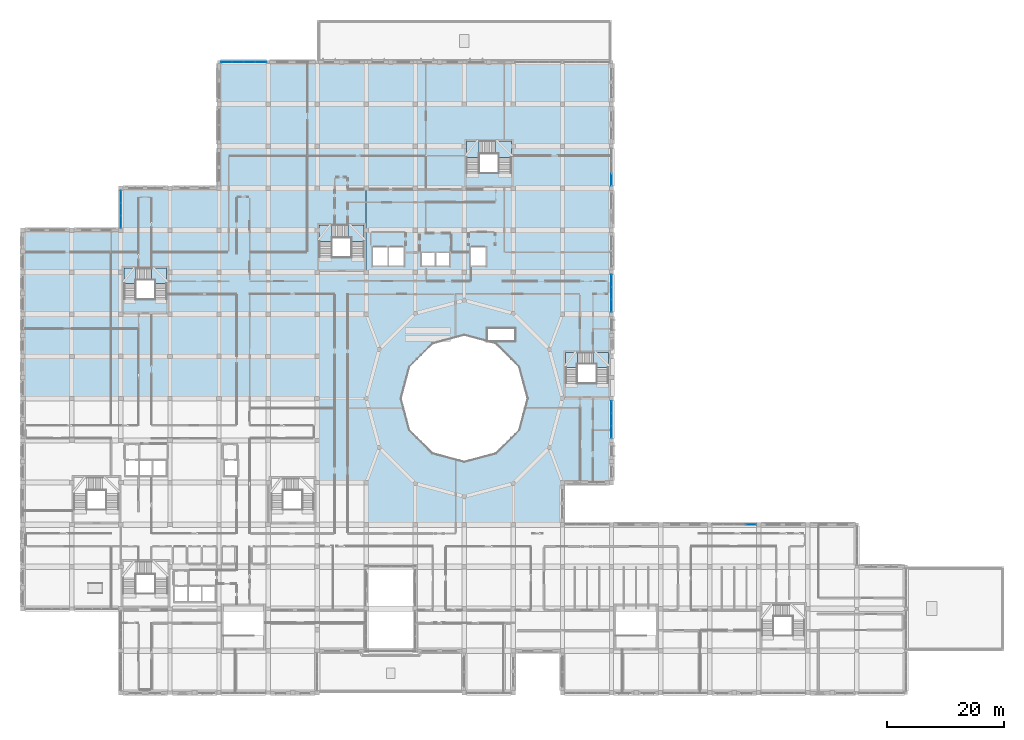
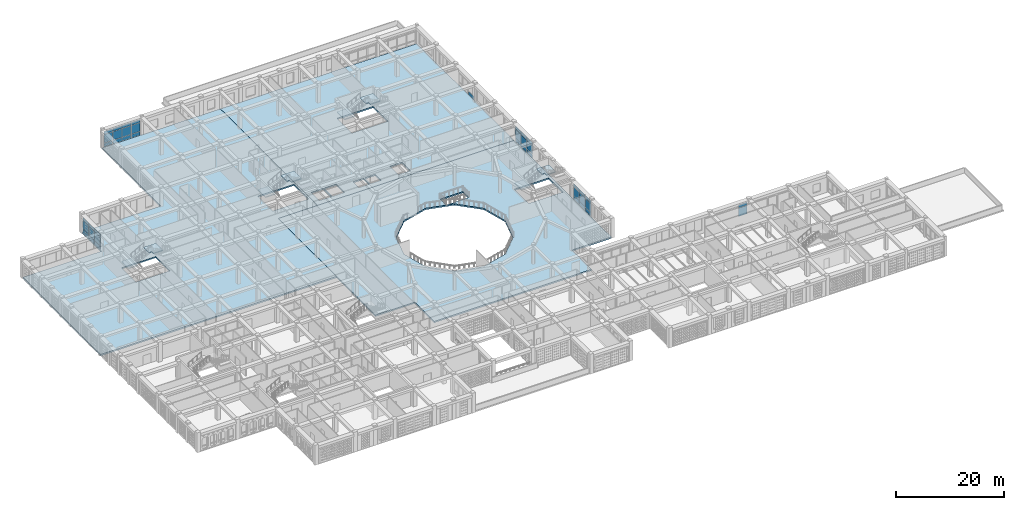
# One storey, part 52 of 111: 42 plates, 11 slabs, 10 elements without a shape of their own.
"""IFC4 building model written with IfcOpenShell, lengths in metres."""

from ifc_helpers import new_model, si_unit, derived_unit, direction, frame, origin, origin_2d, place, context, subcontext, project, spatial, polyline, rectangle, outline, extrude, material, layer, layer_set, type_object, element, aggregate, save


model = new_model("IFC4")

# Units and contexts
model_context = context("Model", 3, precision=1e-05, world=origin(), true_north=direction((0.0, 1.0)))
body_context = subcontext(model_context, "Body", "Model", "MODEL_VIEW")
ifc_project = project(units=[si_unit("LENGTHUNIT", "METRE"), si_unit("AREAUNIT", "SQUARE_METRE"), si_unit("VOLUMEUNIT", "CUBIC_METRE"), si_unit("PLANEANGLEUNIT", "RADIAN"), si_unit("MASSUNIT", "GRAM", prefix="KILO"), derived_unit("THERMALTRANSMITTANCEUNIT", [(si_unit("POWERUNIT", "WATT"), 1), (si_unit("LENGTHUNIT", "METRE"), -2), (si_unit("THERMODYNAMICTEMPERATUREUNIT", "KELVIN"), -1)])], contexts=[model_context])

# Site, building, storey
site_placement = place(None, origin())
site = spatial("IfcSite", under=ifc_project, at=site_placement, CompositionType="ELEMENT")
building_placement = place(site_placement, origin())
building = spatial("IfcBuilding", under=site, at=building_placement, Name="Veybourne Emporium", CompositionType="ELEMENT")
storey_placement = place(building_placement, frame((0.0, 0.0, 9.89990234375)))
storey = spatial("IfcBuildingStorey", under=building, at=storey_placement, Name="L02", CompositionType="ELEMENT", Elevation=9.89990234375)

# Curtain wall, plates
ifc_material_1 = material(Name="Patinated Architectural Bronze", Category="bronze")
curtain_wall_type_1 = type_object("IfcCurtainWallType", Name="CWSystem_CWS-10", PredefinedType="NOTDEFINED", material=ifc_material_1)
curtain_wall_1_placement = place(storey_placement, origin())
curtain_wall_1 = element("IfcCurtainWall", 1, at=curtain_wall_1_placement, inside=storey, type_object=curtain_wall_type_1, Name="L02 bronze glazed curtain wall CWS-10 (018)", PredefinedType="NOTDEFINED")
ifc_material_2 = material(Name="Low-E Triple Glazing", Category="glass")
ifc_layer_1 = layer(ifc_material_2, 0.028076171875)
ifc_layer_set_1 = layer_set([ifc_layer_1], Name="Low-E Triple Glazing")
plate_type = type_object("IfcPlateType", Name="CWPanel_CW-P1", PredefinedType="CURTAIN_PANEL", material=ifc_layer_set_1)
plate_1_placement = place(storey_placement, frame((16.800048828125, 80.668701171875, 0.074951171875), z_axis=(0.0, 0.0, 1.0), x_axis=(0.0, 1.0, 0.0)))
plate_1 = element("IfcPlate", 2, at=plate_1_placement, type_object=plate_type, Name="CWS-10 panel 1.1", PredefinedType="CURTAIN_PANEL", context=body_context, shape_type="SweptSolid", body=[
    extrude(rectangle(XDim=2.03759765625, YDim=0.028076171875, at=origin_2d()), origin(), (0.0, 0.0, 1.0), 0.78759765625),
])
plate_2_placement = place(storey_placement, frame((16.800048828125, 80.668701171875, 0.9375), z_axis=(0.0, 0.0, 1.0), x_axis=(0.0, 1.0, 0.0)))
plate_2 = element("IfcPlate", 3, at=plate_2_placement, type_object=plate_type, Name="CWS-10 panel 1.2", PredefinedType="CURTAIN_PANEL", context=body_context, shape_type="SweptSolid", body=[
    extrude(rectangle(XDim=2.03759765625, YDim=0.028076171875, at=origin_2d()), origin(), (0.0, 0.0, 1.0), 1.905029296875),
])
plate_3_placement = place(storey_placement, frame((16.800048828125, 80.668701171875, 2.91748046875), z_axis=(0.0, 0.0, 1.0), x_axis=(0.0, 1.0, 0.0)))
plate_3 = element("IfcPlate", 4, at=plate_3_placement, type_object=plate_type, Name="CWS-10 panel 1.3", PredefinedType="CURTAIN_PANEL", context=body_context, shape_type="SweptSolid", body=[
    extrude(rectangle(XDim=2.03759765625, YDim=0.028076171875, at=origin_2d()), origin(), (0.0, 0.0, 1.0), 0.637451171875),
])
plate_4_placement = place(storey_placement, frame((16.800048828125, 82.800048828125, 0.074951171875), z_axis=(0.0, 0.0, 1.0), x_axis=(0.0, 1.0, 0.0)))
plate_4 = element("IfcPlate", 5, at=plate_4_placement, type_object=plate_type, Name="CWS-10 panel 2.1", PredefinedType="CURTAIN_PANEL", context=body_context, shape_type="SweptSolid", body=[
    extrude(rectangle(XDim=2.074951171875, YDim=0.028076171875, at=origin_2d()), origin(), (0.0, 0.0, 1.0), 0.78759765625),
])
plate_5_placement = place(storey_placement, frame((16.800048828125, 82.800048828125, 0.9375), z_axis=(0.0, 0.0, 1.0), x_axis=(0.0, 1.0, 0.0)))
plate_5 = element("IfcPlate", 6, at=plate_5_placement, type_object=plate_type, Name="CWS-10 panel 2.2", PredefinedType="CURTAIN_PANEL", context=body_context, shape_type="SweptSolid", body=[
    extrude(rectangle(XDim=2.074951171875, YDim=0.028076171875, at=origin_2d()), origin(), (0.0, 0.0, 1.0), 1.905029296875),
])
plate_6_placement = place(storey_placement, frame((16.800048828125, 82.800048828125, 2.91748046875), z_axis=(0.0, 0.0, 1.0), x_axis=(0.0, 1.0, 0.0)))
plate_6 = element("IfcPlate", 7, at=plate_6_placement, type_object=plate_type, Name="CWS-10 panel 2.3", PredefinedType="CURTAIN_PANEL", context=body_context, shape_type="SweptSolid", body=[
    extrude(rectangle(XDim=2.074951171875, YDim=0.028076171875, at=origin_2d()), origin(), (0.0, 0.0, 1.0), 0.637451171875),
])
plate_7_placement = place(storey_placement, frame((16.800048828125, 84.93115234375, 0.074951171875), z_axis=(0.0, 0.0, 1.0), x_axis=(0.0, 1.0, 0.0)))
plate_7 = element("IfcPlate", 8, at=plate_7_placement, type_object=plate_type, Name="CWS-10 panel 3.1", PredefinedType="CURTAIN_PANEL", context=body_context, shape_type="SweptSolid", body=[
    extrude(rectangle(XDim=2.03759765625, YDim=0.028076171875, at=origin_2d()), origin(), (0.0, 0.0, 1.0), 0.78759765625),
])
plate_8_placement = place(storey_placement, frame((16.800048828125, 84.93115234375, 0.9375), z_axis=(0.0, 0.0, 1.0), x_axis=(0.0, 1.0, 0.0)))
plate_8 = element("IfcPlate", 9, at=plate_8_placement, type_object=plate_type, Name="CWS-10 panel 3.2", PredefinedType="CURTAIN_PANEL", context=body_context, shape_type="SweptSolid", body=[
    extrude(rectangle(XDim=2.03759765625, YDim=0.028076171875, at=origin_2d()), origin(), (0.0, 0.0, 1.0), 1.905029296875),
])
plate_9_placement = place(storey_placement, frame((16.800048828125, 84.93115234375, 2.91748046875), z_axis=(0.0, 0.0, 1.0), x_axis=(0.0, 1.0, 0.0)))
plate_9 = element("IfcPlate", 10, at=plate_9_placement, type_object=plate_type, Name="CWS-10 panel 3.3", PredefinedType="CURTAIN_PANEL", context=body_context, shape_type="SweptSolid", body=[
    extrude(rectangle(XDim=2.03759765625, YDim=0.028076171875, at=origin_2d()), origin(), (0.0, 0.0, 1.0), 0.637451171875),
])
aggregate(curtain_wall_1, [plate_1, plate_2, plate_3, plate_4, plate_5, plate_6, plate_7, plate_8, plate_9])

curtain_wall_type_2 = type_object("IfcCurtainWallType", Name="CWSystem_CWS-12", PredefinedType="NOTDEFINED", material=ifc_material_1)
curtain_wall_2_placement = place(storey_placement, origin())
curtain_wall_2 = element("IfcCurtainWall", 11, at=curtain_wall_2_placement, inside=storey, type_object=curtain_wall_type_2, Name="L02 bronze glazed curtain wall CWS-12 (024)", PredefinedType="NOTDEFINED")
plate_10_placement = place(storey_placement, frame((34.876953125, 108.0, 0.070068359375), z_axis=(0.0, 0.0, 1.0), x_axis=(1.0, 0.0, 0.0)))
plate_10 = element("IfcPlate", 12, at=plate_10_placement, type_object=plate_type, Name="CWS-12 panel 1.1", PredefinedType="CURTAIN_PANEL", context=body_context, shape_type="SweptSolid", body=[
    extrude(rectangle(XDim=1.86376953125, YDim=0.028076171875, at=origin_2d()), origin(), (0.0, 0.0, 1.0), 0.794921875),
])
plate_11_placement = place(storey_placement, frame((34.876953125, 108.0, 0.93505859375), z_axis=(0.0, 0.0, 1.0), x_axis=(1.0, 0.0, 0.0)))
plate_11 = element("IfcPlate", 13, at=plate_11_placement, type_object=plate_type, Name="CWS-12 panel 1.2", PredefinedType="CURTAIN_PANEL", context=body_context, shape_type="SweptSolid", body=[
    extrude(rectangle(XDim=1.86376953125, YDim=0.028076171875, at=origin_2d()), origin(), (0.0, 0.0, 1.0), 1.909912109375),
])
plate_12_placement = place(storey_placement, frame((34.876953125, 108.0, 2.9150390625), z_axis=(0.0, 0.0, 1.0), x_axis=(1.0, 0.0, 0.0)))
plate_12 = element("IfcPlate", 14, at=plate_12_placement, type_object=plate_type, Name="CWS-12 panel 1.3", PredefinedType="CURTAIN_PANEL", context=body_context, shape_type="SweptSolid", body=[
    extrude(rectangle(XDim=1.86376953125, YDim=0.028076171875, at=origin_2d()), origin(), (0.0, 0.0, 1.0), 0.64501953125),
])
plate_13_placement = place(storey_placement, frame((36.828125, 108.0, 0.070068359375), z_axis=(0.0, 0.0, 1.0), x_axis=(1.0, 0.0, 0.0)))
plate_13 = element("IfcPlate", 15, at=plate_13_placement, type_object=plate_type, Name="CWS-12 panel 2.1", PredefinedType="CURTAIN_PANEL", context=body_context, shape_type="SweptSolid", body=[
    extrude(rectangle(XDim=1.898681640625, YDim=0.028076171875, at=origin_2d()), origin(), (0.0, 0.0, 1.0), 0.794921875),
])
plate_14_placement = place(storey_placement, frame((36.828125, 108.0, 0.93505859375), z_axis=(0.0, 0.0, 1.0), x_axis=(1.0, 0.0, 0.0)))
plate_14 = element("IfcPlate", 16, at=plate_14_placement, type_object=plate_type, Name="CWS-12 panel 2.2", PredefinedType="CURTAIN_PANEL", context=body_context, shape_type="SweptSolid", body=[
    extrude(rectangle(XDim=1.898681640625, YDim=0.028076171875, at=origin_2d()), origin(), (0.0, 0.0, 1.0), 1.909912109375),
])
plate_15_placement = place(storey_placement, frame((36.828125, 108.0, 2.9150390625), z_axis=(0.0, 0.0, 1.0), x_axis=(1.0, 0.0, 0.0)))
plate_15 = element("IfcPlate", 17, at=plate_15_placement, type_object=plate_type, Name="CWS-12 panel 2.3", PredefinedType="CURTAIN_PANEL", context=body_context, shape_type="SweptSolid", body=[
    extrude(rectangle(XDim=1.898681640625, YDim=0.028076171875, at=origin_2d()), origin(), (0.0, 0.0, 1.0), 0.64501953125),
])
plate_16_placement = place(storey_placement, frame((38.796875, 108.0, 0.070068359375), z_axis=(0.0, 0.0, 1.0), x_axis=(1.0, 0.0, 0.0)))
plate_16 = element("IfcPlate", 18, at=plate_16_placement, type_object=plate_type, Name="CWS-12 panel 3.1", PredefinedType="CURTAIN_PANEL", context=body_context, shape_type="SweptSolid", body=[
    extrude(rectangle(XDim=1.898681640625, YDim=0.028076171875, at=origin_2d()), origin(), (0.0, 0.0, 1.0), 0.794921875),
])
plate_17_placement = place(storey_placement, frame((38.796875, 108.0, 0.93505859375), z_axis=(0.0, 0.0, 1.0), x_axis=(1.0, 0.0, 0.0)))
plate_17 = element("IfcPlate", 19, at=plate_17_placement, type_object=plate_type, Name="CWS-12 panel 3.2", PredefinedType="CURTAIN_PANEL", context=body_context, shape_type="SweptSolid", body=[
    extrude(rectangle(XDim=1.898681640625, YDim=0.028076171875, at=origin_2d()), origin(), (0.0, 0.0, 1.0), 1.909912109375),
])
plate_18_placement = place(storey_placement, frame((38.796875, 108.0, 2.9150390625), z_axis=(0.0, 0.0, 1.0), x_axis=(1.0, 0.0, 0.0)))
plate_18 = element("IfcPlate", 20, at=plate_18_placement, type_object=plate_type, Name="CWS-12 panel 3.3", PredefinedType="CURTAIN_PANEL", context=body_context, shape_type="SweptSolid", body=[
    extrude(rectangle(XDim=1.898681640625, YDim=0.028076171875, at=origin_2d()), origin(), (0.0, 0.0, 1.0), 0.64501953125),
])
plate_19_placement = place(storey_placement, frame((40.748046875, 108.0, 0.070068359375), z_axis=(0.0, 0.0, 1.0), x_axis=(1.0, 0.0, 0.0)))
plate_19 = element("IfcPlate", 21, at=plate_19_placement, type_object=plate_type, Name="CWS-12 panel 4.1", PredefinedType="CURTAIN_PANEL", context=body_context, shape_type="SweptSolid", body=[
    extrude(rectangle(XDim=1.86376953125, YDim=0.028076171875, at=origin_2d()), origin(), (0.0, 0.0, 1.0), 0.794921875),
])
plate_20_placement = place(storey_placement, frame((40.748046875, 108.0, 0.93505859375), z_axis=(0.0, 0.0, 1.0), x_axis=(1.0, 0.0, 0.0)))
plate_20 = element("IfcPlate", 22, at=plate_20_placement, type_object=plate_type, Name="CWS-12 panel 4.2", PredefinedType="CURTAIN_PANEL", context=body_context, shape_type="SweptSolid", body=[
    extrude(rectangle(XDim=1.86376953125, YDim=0.028076171875, at=origin_2d()), origin(), (0.0, 0.0, 1.0), 1.909912109375),
])
plate_21_placement = place(storey_placement, frame((40.748046875, 108.0, 2.9150390625), z_axis=(0.0, 0.0, 1.0), x_axis=(1.0, 0.0, 0.0)))
plate_21 = element("IfcPlate", 23, at=plate_21_placement, type_object=plate_type, Name="CWS-12 panel 4.3", PredefinedType="CURTAIN_PANEL", context=body_context, shape_type="SweptSolid", body=[
    extrude(rectangle(XDim=1.86376953125, YDim=0.028076171875, at=origin_2d()), origin(), (0.0, 0.0, 1.0), 0.64501953125),
])
aggregate(curtain_wall_2, [plate_10, plate_11, plate_12, plate_13, plate_14, plate_15, plate_16, plate_17, plate_18, plate_19, plate_20, plate_21])

curtain_wall_type_3 = type_object("IfcCurtainWallType", Name="CWSystem_CWS-21", PredefinedType="NOTDEFINED", material=ifc_material_1)
curtain_wall_3_placement = place(storey_placement, origin())
curtain_wall_3 = element("IfcCurtainWall", 24, at=curtain_wall_3_placement, inside=storey, type_object=curtain_wall_type_3, Name="L02 bronze glazed curtain wall CWS-21 (051)", PredefinedType="NOTDEFINED")
plate_22_placement = place(storey_placement, frame((100.800048828125, 48.931884765625, 0.072021484375), z_axis=(0.0, 0.0, 1.0), x_axis=(0.0, -1.0, 0.0)))
plate_22 = element("IfcPlate", 25, at=plate_22_placement, type_object=plate_type, Name="CWS-21 panel 1.1", PredefinedType="CURTAIN_PANEL", context=body_context, shape_type="SweptSolid", body=[
    extrude(rectangle(XDim=2.0419921875, YDim=0.028076171875, at=origin_2d()), origin(), (0.0, 0.0, 1.0), 0.7919921875),
])
plate_23_placement = place(storey_placement, frame((100.800048828125, 48.931884765625, 0.93603515625), z_axis=(0.0, 0.0, 1.0), x_axis=(0.0, -1.0, 0.0)))
plate_23 = element("IfcPlate", 26, at=plate_23_placement, type_object=plate_type, Name="CWS-21 panel 1.2", PredefinedType="CURTAIN_PANEL", context=body_context, shape_type="SweptSolid", body=[
    extrude(rectangle(XDim=2.0419921875, YDim=0.028076171875, at=origin_2d()), origin(), (0.0, 0.0, 1.0), 1.907958984375),
])
plate_24_placement = place(storey_placement, frame((100.800048828125, 48.931884765625, 2.916015625), z_axis=(0.0, 0.0, 1.0), x_axis=(0.0, -1.0, 0.0)))
plate_24 = element("IfcPlate", 27, at=plate_24_placement, type_object=plate_type, Name="CWS-21 panel 1.3", PredefinedType="CURTAIN_PANEL", context=body_context, shape_type="SweptSolid", body=[
    extrude(rectangle(XDim=2.0419921875, YDim=0.028076171875, at=origin_2d()), origin(), (0.0, 0.0, 1.0), 0.64208984375),
])
plate_25_placement = place(storey_placement, frame((100.800048828125, 46.800048828125, 0.072021484375), z_axis=(0.0, 0.0, 1.0), x_axis=(0.0, -1.0, 0.0)))
plate_25 = element("IfcPlate", 28, at=plate_25_placement, type_object=plate_type, Name="CWS-21 panel 2.1", PredefinedType="CURTAIN_PANEL", context=body_context, shape_type="SweptSolid", body=[
    extrude(rectangle(XDim=2.077880859375, YDim=0.028076171875, at=origin_2d()), origin(), (0.0, 0.0, 1.0), 0.7919921875),
])
plate_26_placement = place(storey_placement, frame((100.800048828125, 46.800048828125, 0.93603515625), z_axis=(0.0, 0.0, 1.0), x_axis=(0.0, -1.0, 0.0)))
plate_26 = element("IfcPlate", 29, at=plate_26_placement, type_object=plate_type, Name="CWS-21 panel 2.2", PredefinedType="CURTAIN_PANEL", context=body_context, shape_type="SweptSolid", body=[
    extrude(rectangle(XDim=2.077880859375, YDim=0.028076171875, at=origin_2d()), origin(), (0.0, 0.0, 1.0), 1.907958984375),
])
plate_27_placement = place(storey_placement, frame((100.800048828125, 46.800048828125, 2.916015625), z_axis=(0.0, 0.0, 1.0), x_axis=(0.0, -1.0, 0.0)))
plate_27 = element("IfcPlate", 30, at=plate_27_placement, type_object=plate_type, Name="CWS-21 panel 2.3", PredefinedType="CURTAIN_PANEL", context=body_context, shape_type="SweptSolid", body=[
    extrude(rectangle(XDim=2.077880859375, YDim=0.028076171875, at=origin_2d()), origin(), (0.0, 0.0, 1.0), 0.64208984375),
])
plate_28_placement = place(storey_placement, frame((100.800048828125, 44.66796875, 0.072021484375), z_axis=(0.0, 0.0, 1.0), x_axis=(0.0, -1.0, 0.0)))
plate_28 = element("IfcPlate", 31, at=plate_28_placement, type_object=plate_type, Name="CWS-21 panel 3.1", PredefinedType="CURTAIN_PANEL", context=body_context, shape_type="SweptSolid", body=[
    extrude(rectangle(XDim=2.0419921875, YDim=0.028076171875, at=origin_2d()), origin(), (0.0, 0.0, 1.0), 0.7919921875),
])
plate_29_placement = place(storey_placement, frame((100.800048828125, 44.66796875, 0.93603515625), z_axis=(0.0, 0.0, 1.0), x_axis=(0.0, -1.0, 0.0)))
plate_29 = element("IfcPlate", 32, at=plate_29_placement, type_object=plate_type, Name="CWS-21 panel 3.2", PredefinedType="CURTAIN_PANEL", context=body_context, shape_type="SweptSolid", body=[
    extrude(rectangle(XDim=2.0419921875, YDim=0.028076171875, at=origin_2d()), origin(), (0.0, 0.0, 1.0), 1.907958984375),
])
plate_30_placement = place(storey_placement, frame((100.800048828125, 44.66796875, 2.916015625), z_axis=(0.0, 0.0, 1.0), x_axis=(0.0, -1.0, 0.0)))
plate_30 = element("IfcPlate", 33, at=plate_30_placement, type_object=plate_type, Name="CWS-21 panel 3.3", PredefinedType="CURTAIN_PANEL", context=body_context, shape_type="SweptSolid", body=[
    extrude(rectangle(XDim=2.0419921875, YDim=0.028076171875, at=origin_2d()), origin(), (0.0, 0.0, 1.0), 0.64208984375),
])
aggregate(curtain_wall_3, [plate_22, plate_23, plate_24, plate_25, plate_26, plate_27, plate_28, plate_29, plate_30])

curtain_wall_type_4 = type_object("IfcCurtainWallType", Name="CWSystem_CWS-22", PredefinedType="NOTDEFINED", material=ifc_material_1)
curtain_wall_4_placement = place(storey_placement, origin())
curtain_wall_4 = element("IfcCurtainWall", 34, at=curtain_wall_4_placement, inside=storey, type_object=curtain_wall_type_4, Name="L02 bronze glazed curtain wall CWS-22 (054)", PredefinedType="NOTDEFINED")
plate_31_placement = place(storey_placement, frame((100.800048828125, 70.53125, 0.074951171875), z_axis=(0.0, 0.0, 1.0), x_axis=(0.0, -1.0, 0.0)))
plate_31 = element("IfcPlate", 35, at=plate_31_placement, type_object=plate_type, Name="CWS-22 panel 1.1", PredefinedType="CURTAIN_PANEL", context=body_context, shape_type="SweptSolid", body=[
    extrude(rectangle(XDim=2.03759765625, YDim=0.028076171875, at=origin_2d()), origin(), (0.0, 0.0, 1.0), 0.78759765625),
])
plate_32_placement = place(storey_placement, frame((100.800048828125, 70.53125, 0.9375), z_axis=(0.0, 0.0, 1.0), x_axis=(0.0, -1.0, 0.0)))
plate_32 = element("IfcPlate", 36, at=plate_32_placement, type_object=plate_type, Name="CWS-22 panel 1.2", PredefinedType="CURTAIN_PANEL", context=body_context, shape_type="SweptSolid", body=[
    extrude(rectangle(XDim=2.03759765625, YDim=0.028076171875, at=origin_2d()), origin(), (0.0, 0.0, 1.0), 1.905029296875),
])
plate_33_placement = place(storey_placement, frame((100.800048828125, 70.53125, 2.91748046875), z_axis=(0.0, 0.0, 1.0), x_axis=(0.0, -1.0, 0.0)))
plate_33 = element("IfcPlate", 37, at=plate_33_placement, type_object=plate_type, Name="CWS-22 panel 1.3", PredefinedType="CURTAIN_PANEL", context=body_context, shape_type="SweptSolid", body=[
    extrude(rectangle(XDim=2.03759765625, YDim=0.028076171875, at=origin_2d()), origin(), (0.0, 0.0, 1.0), 0.637451171875),
])
plate_34_placement = place(storey_placement, frame((100.800048828125, 68.39990234375, 0.074951171875), z_axis=(0.0, 0.0, 1.0), x_axis=(0.0, -1.0, 0.0)))
plate_34 = element("IfcPlate", 38, at=plate_34_placement, type_object=plate_type, Name="CWS-22 panel 2.1", PredefinedType="CURTAIN_PANEL", context=body_context, shape_type="SweptSolid", body=[
    extrude(rectangle(XDim=2.074951171875, YDim=0.028076171875, at=origin_2d()), origin(), (0.0, 0.0, 1.0), 0.78759765625),
])
plate_35_placement = place(storey_placement, frame((100.800048828125, 68.39990234375, 0.9375), z_axis=(0.0, 0.0, 1.0), x_axis=(0.0, -1.0, 0.0)))
plate_35 = element("IfcPlate", 39, at=plate_35_placement, type_object=plate_type, Name="CWS-22 panel 2.2", PredefinedType="CURTAIN_PANEL", context=body_context, shape_type="SweptSolid", body=[
    extrude(rectangle(XDim=2.074951171875, YDim=0.028076171875, at=origin_2d()), origin(), (0.0, 0.0, 1.0), 1.905029296875),
])
plate_36_placement = place(storey_placement, frame((100.800048828125, 68.39990234375, 2.91748046875), z_axis=(0.0, 0.0, 1.0), x_axis=(0.0, -1.0, 0.0)))
plate_36 = element("IfcPlate", 40, at=plate_36_placement, type_object=plate_type, Name="CWS-22 panel 2.3", PredefinedType="CURTAIN_PANEL", context=body_context, shape_type="SweptSolid", body=[
    extrude(rectangle(XDim=2.074951171875, YDim=0.028076171875, at=origin_2d()), origin(), (0.0, 0.0, 1.0), 0.637451171875),
])
plate_37_placement = place(storey_placement, frame((100.800048828125, 66.268798828125, 0.074951171875), z_axis=(0.0, 0.0, 1.0), x_axis=(0.0, -1.0, 0.0)))
plate_37 = element("IfcPlate", 41, at=plate_37_placement, type_object=plate_type, Name="CWS-22 panel 3.1", PredefinedType="CURTAIN_PANEL", context=body_context, shape_type="SweptSolid", body=[
    extrude(rectangle(XDim=2.03759765625, YDim=0.028076171875, at=origin_2d()), origin(), (0.0, 0.0, 1.0), 0.78759765625),
])
plate_38_placement = place(storey_placement, frame((100.800048828125, 66.268798828125, 0.9375), z_axis=(0.0, 0.0, 1.0), x_axis=(0.0, -1.0, 0.0)))
plate_38 = element("IfcPlate", 42, at=plate_38_placement, type_object=plate_type, Name="CWS-22 panel 3.2", PredefinedType="CURTAIN_PANEL", context=body_context, shape_type="SweptSolid", body=[
    extrude(rectangle(XDim=2.03759765625, YDim=0.028076171875, at=origin_2d()), origin(), (0.0, 0.0, 1.0), 1.905029296875),
])
plate_39_placement = place(storey_placement, frame((100.800048828125, 66.268798828125, 2.91748046875), z_axis=(0.0, 0.0, 1.0), x_axis=(0.0, -1.0, 0.0)))
plate_39 = element("IfcPlate", 43, at=plate_39_placement, type_object=plate_type, Name="CWS-22 panel 3.3", PredefinedType="CURTAIN_PANEL", context=body_context, shape_type="SweptSolid", body=[
    extrude(rectangle(XDim=2.03759765625, YDim=0.028076171875, at=origin_2d()), origin(), (0.0, 0.0, 1.0), 0.637451171875),
])
aggregate(curtain_wall_4, [plate_31, plate_32, plate_33, plate_34, plate_35, plate_36, plate_37, plate_38, plate_39])

# Curtain wall, plate
curtain_wall_type_5 = type_object("IfcCurtainWallType", Name="CWSystem_CWS-23", PredefinedType="NOTDEFINED", material=ifc_material_1)
curtain_wall_5_placement = place(storey_placement, origin())
curtain_wall_5 = element("IfcCurtainWall", 44, at=curtain_wall_5_placement, inside=storey, type_object=curtain_wall_type_5, Name="L02 bronze glazed curtain wall CWS-23 (057)", PredefinedType="NOTDEFINED")
plate_40_placement = place(storey_placement, frame((100.800048828125, 87.869384765625, 0.078125), z_axis=(0.0, 0.0, 1.0), x_axis=(0.0, -1.0, 0.0)))
plate_40 = element("IfcPlate", 45, at=plate_40_placement, type_object=plate_type, Name="CWS-23 panel 3.1", PredefinedType="CURTAIN_PANEL", context=body_context, shape_type="SweptSolid", body=[
    extrude(rectangle(XDim=2.032958984375, YDim=0.028076171875, at=origin_2d()), origin(), (0.0, 0.0, 1.0), 0.782958984375),
])
aggregate(curtain_wall_5, [plate_40])

# Curtain wall, plates
curtain_wall_type_6 = type_object("IfcCurtainWallType", Name="CWSystem_CWS-26", PredefinedType="NOTDEFINED", material=ifc_material_1)
curtain_wall_6_placement = place(storey_placement, origin())
curtain_wall_6 = element("IfcCurtainWall", 46, at=curtain_wall_6_placement, inside=storey, type_object=curtain_wall_type_6, Name="L02 bronze glazed curtain wall CWS-26 (066)", PredefinedType="NOTDEFINED")
plate_41_placement = place(storey_placement, frame((124.64990234375, 28.800048828125, 0.9375), z_axis=(0.0, 0.0, 1.0), x_axis=(1.0, 0.0, 0.0)))
plate_41 = element("IfcPlate", 47, at=plate_41_placement, type_object=plate_type, Name="CWS-26 panel 4.2", PredefinedType="CURTAIN_PANEL", context=body_context, shape_type="SweptSolid", body=[
    extrude(rectangle(XDim=1.800048828125, YDim=0.028076171875, at=origin_2d()), origin(), (0.0, 0.0, 1.0), 1.905029296875),
])
plate_42_placement = place(storey_placement, frame((124.64990234375, 28.800048828125, 2.91748046875), z_axis=(0.0, 0.0, 1.0), x_axis=(1.0, 0.0, 0.0)))
plate_42 = element("IfcPlate", 48, at=plate_42_placement, type_object=plate_type, Name="CWS-26 panel 4.3", PredefinedType="CURTAIN_PANEL", context=body_context, shape_type="SweptSolid", body=[
    extrude(rectangle(XDim=1.800048828125, YDim=0.028076171875, at=origin_2d()), origin(), (0.0, 0.0, 1.0), 0.637451171875),
])
aggregate(curtain_wall_6, [plate_41, plate_42])

# Stair, slabs
ifc_material_3 = material(Name="Concrete C32/40", Category="concrete")
stair_type_1 = type_object("IfcStairType", Name="Stair_ST-03-R30", PredefinedType="TWO_QUARTER_TURN_STAIR", material=ifc_material_3)
stair_1_placement = place(storey_placement, origin())
stair_1 = element("IfcStair", 49, at=stair_1_placement, inside=storey, type_object=stair_type_1, Name="L02 stair ST-03", PredefinedType="TWO_QUARTER_TURN_STAIR")
ifc_layer_2 = layer(ifc_material_3, 0.199951171875)
ifc_layer_set_2 = layer_set([ifc_layer_2], Name="Concrete C32/40")
slab_type_1 = type_object("IfcSlabType", Name="Landing_LDG-01", PredefinedType="LANDING", material=ifc_layer_set_2)
slab_1_placement = place(storey_placement, frame((0.0, 0.0, 1.300048828125)))
slab_1 = element("IfcSlab", 50, at=slab_1_placement, type_object=slab_type_1, Name="ST-03-R30 landing 1", PredefinedType="LANDING", context=body_context, shape_type="SweptSolid", body=[
    extrude(outline(polyline([(50.75, 77.300048828125), (52.949951171875, 77.300048828125), (52.949951171875, 80.10009765625), (50.75, 80.10009765625), (50.75, 77.300048828125)])), origin(), (0.0, 0.0, 1.0), 0.199951171875),
])
slab_2_placement = place(storey_placement, frame((0.0, 0.0, 2.800048828125)))
slab_2 = element("IfcSlab", 51, at=slab_2_placement, type_object=slab_type_1, Name="ST-03-R30 landing 2", PredefinedType="LANDING", context=body_context, shape_type="SweptSolid", body=[
    extrude(outline(polyline([(55.64990234375, 77.89990234375), (56.25, 77.89990234375), (56.25, 77.300048828125), (58.449951171875, 77.300048828125), (58.449951171875, 80.10009765625), (55.64990234375, 80.10009765625), (55.64990234375, 77.89990234375)])), origin(), (0.0, 0.0, 1.0), 0.199951171875),
])
aggregate(stair_1, [slab_1, slab_2])

stair_type_2 = type_object("IfcStairType", Name="Stair_ST-04-R30", PredefinedType="TWO_QUARTER_TURN_STAIR", material=ifc_material_3)
stair_2_placement = place(storey_placement, origin())
stair_2 = element("IfcStair", 52, at=stair_2_placement, inside=storey, type_object=stair_type_2, Name="L02 stair ST-04", PredefinedType="TWO_QUARTER_TURN_STAIR")
slab_3_placement = place(storey_placement, frame((0.0, 0.0, 1.300048828125)))
slab_3 = element("IfcSlab", 53, at=slab_3_placement, type_object=slab_type_1, Name="ST-04-R30 landing 1", PredefinedType="LANDING", context=body_context, shape_type="SweptSolid", body=[
    extrude(outline(polyline([(75.949951171875, 91.699951171875), (78.14990234375, 91.699951171875), (78.14990234375, 94.5), (75.949951171875, 94.5), (75.949951171875, 91.699951171875)])), origin(), (0.0, 0.0, 1.0), 0.199951171875),
])
slab_4_placement = place(storey_placement, frame((0.0, 0.0, 2.800048828125)))
slab_4 = element("IfcSlab", 54, at=slab_4_placement, type_object=slab_type_1, Name="ST-04-R30 landing 2", PredefinedType="LANDING", context=body_context, shape_type="SweptSolid", body=[
    extrude(outline(polyline([(80.85009765625, 92.300048828125), (81.449951171875, 92.300048828125), (81.449951171875, 91.699951171875), (83.64990234375, 91.699951171875), (83.64990234375, 94.5), (80.85009765625, 94.5), (80.85009765625, 92.300048828125)])), origin(), (0.0, 0.0, 1.0), 0.199951171875),
])
aggregate(stair_2, [slab_3, slab_4])

stair_type_3 = type_object("IfcStairType", Name="Stair_ST-07-R30", PredefinedType="TWO_QUARTER_TURN_STAIR", material=ifc_material_3)
stair_3_placement = place(storey_placement, origin())
stair_3 = element("IfcStair", 55, at=stair_3_placement, inside=storey, type_object=stair_type_3, Name="L02 stair ST-07", PredefinedType="TWO_QUARTER_TURN_STAIR")
slab_5_placement = place(storey_placement, frame((0.0, 0.0, 1.300048828125)))
slab_5 = element("IfcSlab", 56, at=slab_5_placement, type_object=slab_type_1, Name="ST-07-R30 landing 1", PredefinedType="LANDING", context=body_context, shape_type="SweptSolid", body=[
    extrude(outline(polyline([(92.949951171875, 55.699951171875), (94.949951171875, 55.699951171875), (94.949951171875, 58.300048828125), (92.949951171875, 58.300048828125), (92.949951171875, 55.699951171875)])), origin(), (0.0, 0.0, 1.0), 0.199951171875),
])
slab_6_placement = place(storey_placement, frame((0.0, 0.0, 2.800048828125)))
slab_6 = element("IfcSlab", 57, at=slab_6_placement, type_object=slab_type_1, Name="ST-07-R30 landing 2", PredefinedType="LANDING", context=body_context, shape_type="SweptSolid", body=[
    extrude(outline(polyline([(97.64990234375, 56.300048828125), (98.25, 56.300048828125), (98.25, 55.699951171875), (100.25, 55.699951171875), (100.25, 58.300048828125), (97.64990234375, 58.300048828125), (97.64990234375, 56.300048828125)])), origin(), (0.0, 0.0, 1.0), 0.199951171875),
])
aggregate(stair_3, [slab_5, slab_6])

stair_type_4 = type_object("IfcStairType", Name="Stair_ST-08-R30", PredefinedType="TWO_QUARTER_TURN_STAIR", material=ifc_material_3)
stair_4_placement = place(storey_placement, origin())
stair_4 = element("IfcStair", 58, at=stair_4_placement, inside=storey, type_object=stair_type_4, Name="L02 stair ST-08", PredefinedType="TWO_QUARTER_TURN_STAIR")
slab_7_placement = place(storey_placement, frame((0.0, 0.0, 1.300048828125)))
slab_7 = element("IfcSlab", 59, at=slab_7_placement, type_object=slab_type_1, Name="ST-08-R30 landing 1", PredefinedType="LANDING", context=body_context, shape_type="SweptSolid", body=[
    extrude(outline(polyline([(17.35009765625, 70.10009765625), (19.35009765625, 70.10009765625), (19.35009765625, 72.699951171875), (17.35009765625, 72.699951171875), (17.35009765625, 70.10009765625)])), origin(), (0.0, 0.0, 1.0), 0.199951171875),
])
slab_8_placement = place(storey_placement, frame((0.0, 0.0, 2.800048828125)))
slab_8 = element("IfcSlab", 60, at=slab_8_placement, type_object=slab_type_1, Name="ST-08-R30 landing 2", PredefinedType="LANDING", context=body_context, shape_type="SweptSolid", body=[
    extrude(outline(polyline([(22.050048828125, 70.699951171875), (22.64990234375, 70.699951171875), (22.64990234375, 70.10009765625), (24.64990234375, 70.10009765625), (24.64990234375, 72.699951171875), (22.050048828125, 72.699951171875), (22.050048828125, 70.699951171875)])), origin(), (0.0, 0.0, 1.0), 0.199951171875),
])
aggregate(stair_4, [slab_7, slab_8])

# Slabs
ifc_layer_3 = layer(ifc_material_3, 0.320068359375)
ifc_layer_set_3 = layer_set([ifc_layer_3], Name="Concrete C32/40")
slab_type_2 = type_object("IfcSlabType", Name="Slab_FS-02", PredefinedType="FLOOR", material=ifc_layer_set_3)
slab_9_placement = place(storey_placement, frame((0.0, 0.0, -0.31982421875)))
element("IfcSlab", 61, at=slab_9_placement, inside=storey, type_object=slab_type_2, Name="L02 floor slab FS-02 (V2.1)", PredefinedType="FLOOR", context=body_context, shape_type="SweptSolid", body=[
    extrude(outline(polyline([(50.39990234375, 36.0), (50.39990234375, 43.199951171875), (50.39990234375, 50.39990234375), (50.39990234375, 57.60009765625), (50.39990234375, 64.800048828125), (50.39990234375, 72.0), (58.800048828125, 72.0), (67.199951171875, 72.0), (75.60009765625, 72.0), (84.0, 72.0), (92.39990234375, 72.0), (100.800048828125, 72.0), (100.800048828125, 64.800048828125), (100.800048828125, 57.60009765625), (100.800048828125, 50.39990234375), (100.800048828125, 43.199951171875), (100.800048828125, 36.0), (92.39990234375, 36.0), (92.39990234375, 28.800048828125), (84.0, 28.800048828125), (75.60009765625, 28.800048828125), (67.199951171875, 28.800048828125), (58.800048828125, 28.800048828125), (58.800048828125, 36.0), (50.39990234375, 36.0)]), holes=[polyline([(70.199951171875, 41.046875), (75.60009765625, 39.60009765625), (81.0, 41.046875), (84.953125, 45.0), (86.39990234375, 50.39990234375), (84.953125, 55.800048828125), (81.0, 59.753173828125), (75.60009765625, 61.199951171875), (70.199951171875, 59.753173828125), (66.246826171875, 55.800048828125), (64.800048828125, 50.39990234375), (66.246826171875, 45.0), (70.199951171875, 41.046875)]), polyline([(100.25, 53.0), (100.25, 58.300048828125), (92.949951171875, 58.300048828125), (92.949951171875, 53.0), (100.25, 53.0)]), polyline([(79.5, 60.2119140625), (84.300048828125, 60.2119140625), (84.300048828125, 62.411865234375), (79.5, 62.411865234375), (79.5, 60.2119140625)])]), origin(), (0.0, 0.0, 1.0), 0.31982421875),
])
slab_10_placement = place(storey_placement, frame((0.0, 0.0, -0.31982421875)))
element("IfcSlab", 62, at=slab_10_placement, inside=storey, type_object=slab_type_2, Name="L02 floor slab FS-02 (V5W.1)", PredefinedType="FLOOR", context=body_context, shape_type="SweptSolid", body=[
    extrude(outline(polyline([(8.39990234375, 50.39990234375), (0.0, 50.39990234375), (0.0, 57.60009765625), (0.0, 64.800048828125), (0.0, 72.0), (0.0, 79.199951171875), (8.39990234375, 79.199951171875), (16.800048828125, 79.199951171875), (16.800048828125, 86.39990234375), (25.199951171875, 86.39990234375), (33.60009765625, 86.39990234375), (33.60009765625, 93.60009765625), (33.60009765625, 100.800048828125), (33.60009765625, 108.0), (42.0, 108.0), (50.39990234375, 108.0), (58.800048828125, 108.0), (58.800048828125, 100.800048828125), (58.800048828125, 93.60009765625), (58.800048828125, 86.39990234375), (58.800048828125, 79.199951171875), (58.800048828125, 72.0), (50.39990234375, 72.0), (50.39990234375, 64.800048828125), (50.39990234375, 57.60009765625), (50.39990234375, 50.39990234375), (42.0, 50.39990234375), (33.60009765625, 50.39990234375), (25.199951171875, 50.39990234375), (16.800048828125, 50.39990234375), (8.39990234375, 50.39990234375)]), holes=[polyline([(17.35009765625, 67.39990234375), (24.64990234375, 67.39990234375), (24.64990234375, 72.699951171875), (17.35009765625, 72.699951171875), (17.35009765625, 67.39990234375)]), polyline([(50.75, 74.60009765625), (58.449951171875, 74.60009765625), (58.449951171875, 80.10009765625), (50.75, 80.10009765625), (50.75, 74.60009765625)])]), origin(), (0.0, 0.0, 1.0), 0.31982421875),
])
slab_11_placement = place(storey_placement, frame((0.0, 0.0, -0.31982421875)))
element("IfcSlab", 63, at=slab_11_placement, inside=storey, type_object=slab_type_2, Name="L02 floor slab FS-02 (V5E.1)", PredefinedType="FLOOR", context=body_context, shape_type="SweptSolid", body=[
    extrude(outline(polyline([(58.800048828125, 100.800048828125), (58.800048828125, 108.0), (67.199951171875, 108.0), (75.60009765625, 108.0), (84.0, 108.0), (92.39990234375, 108.0), (100.800048828125, 108.0), (100.800048828125, 100.800048828125), (100.800048828125, 93.60009765625), (100.800048828125, 86.39990234375), (100.800048828125, 79.199951171875), (100.800048828125, 72.0), (92.39990234375, 72.0), (84.0, 72.0), (75.60009765625, 72.0), (67.199951171875, 72.0), (58.800048828125, 72.0), (58.800048828125, 79.199951171875), (58.800048828125, 86.39990234375), (58.800048828125, 93.60009765625), (58.800048828125, 100.800048828125)]), holes=[polyline([(68.300048828125, 73.14990234375), (70.550048828125, 73.14990234375), (70.550048828125, 75.300048828125), (68.300048828125, 75.300048828125), (68.300048828125, 73.14990234375)]), polyline([(73.0400390625, 73.14990234375), (73.0400390625, 75.300048828125), (70.7900390625, 75.300048828125), (70.7900390625, 73.14990234375), (73.0400390625, 73.14990234375)]), polyline([(59.89990234375, 73.14990234375), (62.449951171875, 73.14990234375), (62.449951171875, 76.25), (59.89990234375, 76.25), (59.89990234375, 73.14990234375)]), polyline([(62.68994140625, 73.14990234375), (65.239990234375, 73.14990234375), (65.239990234375, 76.25), (62.68994140625, 76.25), (62.68994140625, 73.14990234375)]), polyline([(79.25, 73.14990234375), (79.25, 76.25), (76.699951171875, 76.25), (76.699951171875, 73.14990234375), (79.25, 73.14990234375)]), polyline([(75.949951171875, 89.0), (83.64990234375, 89.0), (83.64990234375, 94.5), (75.949951171875, 94.5), (75.949951171875, 89.0)])]), origin(), (0.0, 0.0, 1.0), 0.31982421875),
])

save(model, "model.ifc")
